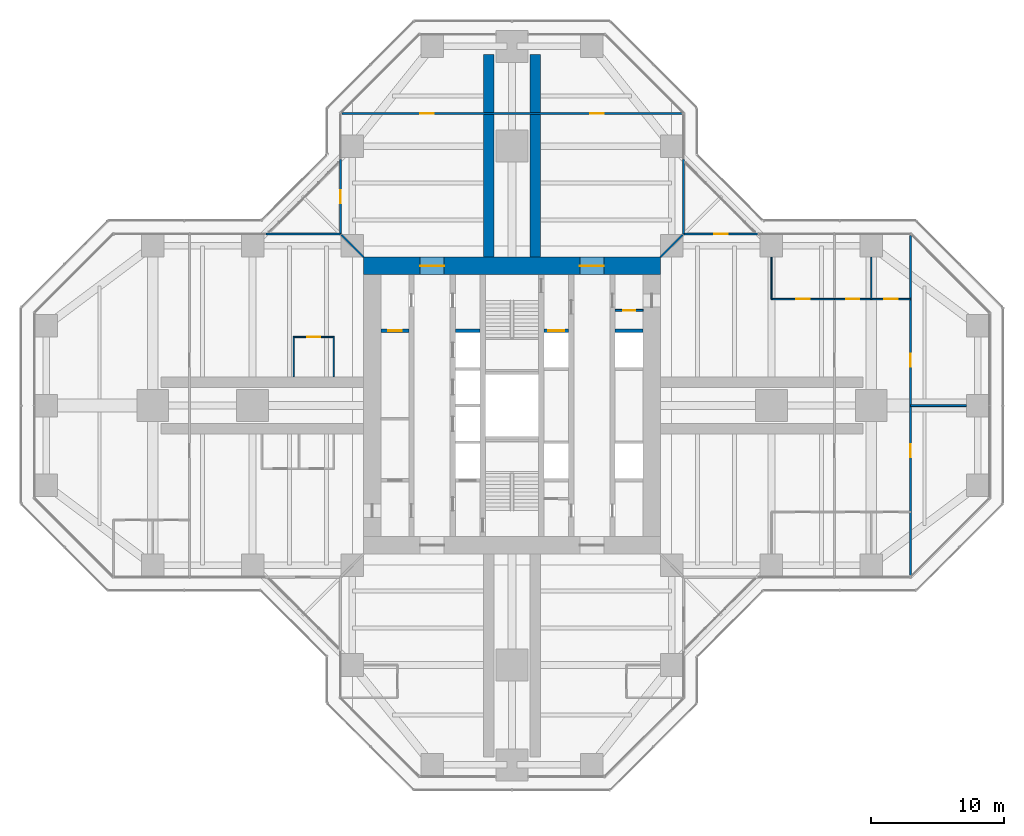
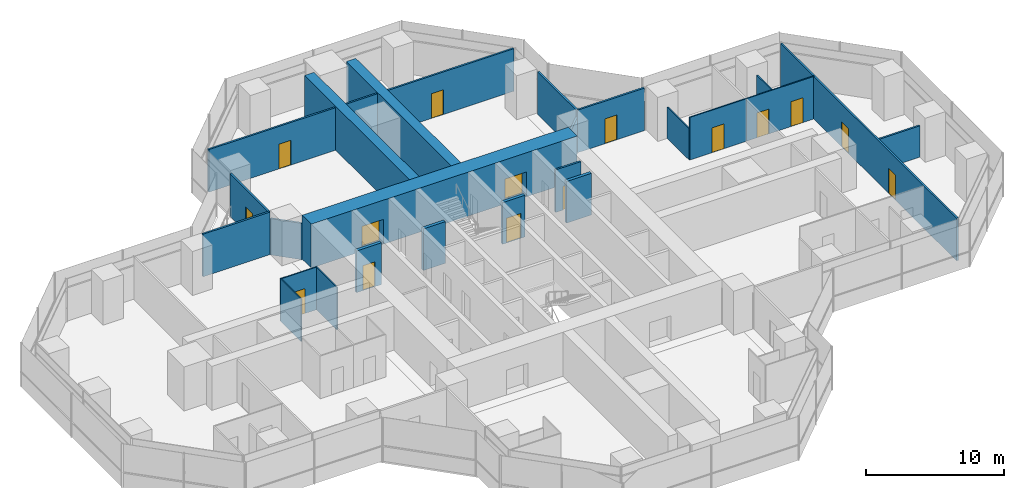
# One storey, part 17 of 20: 24 walls, 15 doors, 15 openings.
"""IFC4 building model written with IfcOpenShell, lengths in metres."""

import ifcopenshell
import ifcopenshell.guid

model = None  # the IFC model being written
_history = None  # IfcOwnerHistory: only IFC2X3 demands one
_inside = {}  # id of a spatial element -> (the spatial element, [elements in it])
_under = {}  # id of a project, library or spatial element -> (it, [spatial elements below it])
_declared = {}  # id of a project -> (the project, [libraries it declares])
_typed = {}  # id of a type object -> (the type object, [elements of that type])
_made_of = {}  # id of a material, layer set ... -> (it, [elements and type objects made of it])


def new_model(schema):
    """Start an empty IFC model of exactly this schema.

    Asked for "IFC4X3", IfcOpenShell would pick the latest addendum, in which some entities
    have other attributes; the version numbers below select the first issue.
    IFC2X3 requires an IfcOwnerHistory on every rooted entity: one is made here for all.
    """
    global model, _history
    if schema == "IFC4X3":
        model = ifcopenshell.file(schema_version=(4, 3, 0, 0))
    else:
        model = ifcopenshell.file(schema=schema)
    _inside.clear()
    _under.clear()
    _declared.clear()
    _typed.clear()
    _made_of.clear()
    _history = None
    if model.schema == "IFC2X3":
        org = make("IfcOrganization", Name="unknown")
        user = make(
            "IfcPersonAndOrganization",
            ThePerson=make("IfcPerson", FamilyName="unknown"),
            TheOrganization=org,
        )
        app = make(
            "IfcApplication",
            ApplicationDeveloper=org,
            Version="unknown",
            ApplicationFullName="unknown",
            ApplicationIdentifier="unknown",
        )
        _history = make(
            "IfcOwnerHistory",
            OwningUser=user,
            OwningApplication=app,
            ChangeAction="ADDED",
            CreationDate=0,
        )
    return model


def make(cls, **values):
    """One entity of the class cls with the attributes given. An attribute that is None is left unset."""
    return model.create_entity(
        cls, **{name: value for name, value in values.items() if value is not None}
    )


def rooted(cls, **values):
    """An entity with a GlobalId (a new one), such as an element, a storey or a relation."""
    return make(cls, GlobalId=ifcopenshell.guid.new(), OwnerHistory=_history, **values)


def si_unit(unit_type, name, prefix=None):
    """IfcSIUnit, for example si_unit("LENGTHUNIT", "METRE", prefix="MILLI")."""
    return make("IfcSIUnit", UnitType=unit_type, Prefix=prefix, Name=name)


def assignment(units):
    """IfcUnitAssignment: the units of a project."""
    return None if units is None else make("IfcUnitAssignment", Units=units)


def point(xyz):
    """IfcCartesianPoint."""
    return None if xyz is None else make("IfcCartesianPoint", Coordinates=xyz)


def direction(xyz):
    """IfcDirection."""
    return None if xyz is None else make("IfcDirection", DirectionRatios=xyz)


def frame(location, z_axis=None, x_axis=None):
    """IfcAxis2Placement3D, a coordinate frame: its origin and axes. An axis left out is left unset."""
    return make(
        "IfcAxis2Placement3D",
        Location=point(location),
        Axis=direction(z_axis),
        RefDirection=direction(x_axis),
    )


def frame_2d(location, x_axis=None):
    """IfcAxis2Placement2D, a coordinate frame in the plane: its origin and x axis."""
    return make(
        "IfcAxis2Placement2D", Location=point(location), RefDirection=direction(x_axis)
    )


def origin():
    """The frame at (0, 0, 0) with its axes left unset."""
    return frame((0.0, 0.0, 0.0))


def place(relative_to, where):
    """IfcLocalPlacement: puts the frame where relative to a parent placement (None: the world)."""
    return make(
        "IfcLocalPlacement", PlacementRelTo=relative_to, RelativePlacement=where
    )


def context(
    kind, dimensions, precision=None, world=None, true_north=None, identifier=None
):
    """IfcGeometricRepresentationContext, for example the 3D "Model" context."""
    return make(
        "IfcGeometricRepresentationContext",
        ContextIdentifier=identifier,
        ContextType=kind,
        CoordinateSpaceDimension=dimensions,
        Precision=precision,
        WorldCoordinateSystem=world,
        TrueNorth=true_north,
    )


def subcontext(parent, identifier, kind, view, scale=None):
    """IfcGeometricRepresentationSubContext, for example "Body" below "Model"."""
    return make(
        "IfcGeometricRepresentationSubContext",
        ContextIdentifier=identifier,
        ContextType=kind,
        ParentContext=parent,
        TargetScale=scale,
        TargetView=view,
    )


def project(units=None, contexts=None):
    """IfcProject with its units and contexts."""
    return rooted(
        "IfcProject",
        Name="project",
        RepresentationContexts=contexts,
        UnitsInContext=assignment(units),
    )


def spatial(cls, under=None, at=None, **own):
    """A site, building, storey or space (cls), placed at a placement, below another one or the project."""
    s = rooted(cls, ObjectPlacement=at, **own)
    if under is not None:
        _under.setdefault(under.id(), (under, []))[1].append(s)
    return s


def profile(cls, at=None, kind="AREA", **sizes):
    """A parametric profile (cls). Its sizes go by their IFC names, for example OverallWidth=200.0."""
    return make(cls, ProfileType=kind, Position=at, **sizes)


def rectangle(**sizes):
    """IfcRectangleProfileDef."""
    return profile("IfcRectangleProfileDef", **sizes)


def extrude(swept, where, along, depth):
    """IfcExtrudedAreaSolid: the profile swept, set in the frame where, extruded along a direction by depth."""
    return make(
        "IfcExtrudedAreaSolid",
        SweptArea=swept,
        Position=where,
        ExtrudedDirection=direction(along),
        Depth=depth,
    )


def shape(context_of_items, identifier, shape_type, items):
    """IfcShapeRepresentation: the items that make up one representation, for example the "Body"."""
    return make(
        "IfcShapeRepresentation",
        ContextOfItems=context_of_items,
        RepresentationIdentifier=identifier,
        RepresentationType=shape_type,
        Items=items,
    )


def material(Name=None, Category=None):
    """IfcMaterial."""
    return make("IfcMaterial", Name=Name, Category=Category)


def layer(
    of_material, thickness, ventilated=None, Name=None, Category=None, Priority=None
):
    """IfcMaterialLayer: one layer of a wall or slab, of a material (None: an air gap)."""
    return make(
        "IfcMaterialLayer",
        Material=of_material,
        LayerThickness=thickness,
        IsVentilated=ventilated,
        Name=Name,
        Category=Category,
        Priority=Priority,
    )


def layer_set(layers, Name=None):
    """IfcMaterialLayerSet."""
    return make("IfcMaterialLayerSet", MaterialLayers=layers, LayerSetName=Name)


def made_of(thing, what):
    """Note that an element or type object is made of a material, layer set ...; save() writes the relation."""
    if what is not None:
        _made_of.setdefault(what.id(), (what, []))[1].append(thing)
    return thing


def type_object(cls, material=None, **own):
    """A type object (cls), such as IfcWallType, which elements share."""
    return made_of(rooted(cls, **own), material)


def element(
    cls,
    number,
    at=None,
    inside=None,
    cuts=None,
    type_object=None,
    material=None,
    context=None,
    identifier="Body",
    shape_type=None,
    held_by="IfcProductDefinitionShape",
    body=None,
    shapes=None,
    **own,
):
    """One element of the class cls, such as IfcWall. Its Tag is "e" and its number.

    at: its placement. inside: the storey or other place that contains it. cuts: it is an
    opening in that element (IfcRelVoidsElement). A single representation is given by context,
    identifier, shape_type and body (its items); several are given by shapes. held_by: the class
    of the entity that holds the representations. save() writes the other relations.
    """
    e = rooted(cls, Tag="e%d" % number, ObjectPlacement=at, **own)
    if body is not None:
        shapes = [shape(context, identifier, shape_type, body)]
    if shapes is not None:
        e.Representation = make(held_by, Representations=shapes)
    if inside is not None:
        _inside.setdefault(inside.id(), (inside, []))[1].append(e)
    if cuts is not None:
        rooted(
            "IfcRelVoidsElement", RelatingBuildingElement=cuts, RelatedOpeningElement=e
        )
    if type_object is not None:
        _typed.setdefault(type_object.id(), (type_object, []))[1].append(e)
    return made_of(e, material)


def fill(opening, filler):
    """IfcRelFillsElement: the door or window that sits in an opening."""
    return rooted(
        "IfcRelFillsElement",
        RelatingOpeningElement=opening,
        RelatedBuildingElement=filler,
    )


def aggregate(whole, parts):
    """IfcRelAggregates: a whole, such as a stair, and the parts it consists of."""
    return rooted("IfcRelAggregates", RelatingObject=whole, RelatedObjects=parts)


def save(model, path):
    """Write the relations noted so far, then the file.

    IfcRelAggregates (storeys below a building ...), IfcRelContainedInSpatialStructure (elements
    in a storey), IfcRelDefinesByType, IfcRelAssociatesMaterial and IfcRelDeclares: one each for
    every whole, place, type object, material and project.
    """
    for whole, parts in _under.values():
        aggregate(whole, parts)
    for where, things in _inside.values():
        rooted(
            "IfcRelContainedInSpatialStructure",
            RelatedElements=things,
            RelatingStructure=where,
        )
    for kind, things in _typed.values():
        rooted("IfcRelDefinesByType", RelatedObjects=things, RelatingType=kind)
    for what, things in _made_of.values():
        rooted("IfcRelAssociatesMaterial", RelatedObjects=things, RelatingMaterial=what)
    for by, libraries in _declared.values():
        rooted("IfcRelDeclares", RelatingContext=by, RelatedDefinitions=libraries)
    model.write(path)


model = new_model("IFC4")

# Units and contexts
model_context = context("Model", 3, precision=1e-05, world=origin(), true_north=direction((0.0, 1.0)))
body_context = subcontext(model_context, "Body", "Model", "MODEL_VIEW")
ifc_project = project(units=[si_unit("LENGTHUNIT", "METRE"), si_unit("AREAUNIT", "SQUARE_METRE"), si_unit("VOLUMEUNIT", "CUBIC_METRE"), si_unit("PLANEANGLEUNIT", "RADIAN"), si_unit("MASSUNIT", "GRAM", prefix="KILO")], contexts=[model_context])

# Site, building, storey
site_placement = place(None, origin())
site = spatial("IfcSite", under=ifc_project, at=site_placement, CompositionType="ELEMENT")
building_placement = place(site_placement, origin())
building = spatial("IfcBuilding", under=site, at=building_placement, Name="Mizan Broadcast Tower", CompositionType="ELEMENT")
storey_placement = place(building_placement, frame((0.0, 0.0, 139.800048828125)))
storey = spatial("IfcBuildingStorey", under=building, at=storey_placement, Name="L31", CompositionType="ELEMENT", Elevation=139.800048828125)

# Wall, opening, door
ifc_material_1 = material(Name="Concrete blockwork", Category="masonry")
ifc_layer_1 = layer(ifc_material_1, 0.14990234375)
ifc_layer_set_1 = layer_set([ifc_layer_1], Name="Concrete blockwork")
wall_type_1 = type_object("IfcWallType", Name="CORE PARTITION 150", PredefinedType="SOLIDWALL", material=ifc_layer_set_1)
wall_1_placement = place(storey_placement, frame((9.85009765625, 7.14990234375, 0.0), z_axis=(0.0, 0.0, 1.0), x_axis=(-1.0, 0.0, 0.0)))
wall_1 = element("IfcWall", 1, at=wall_1_placement, inside=storey, type_object=wall_type_1, Name="Core partition CORE/XPE", PredefinedType="SOLIDWALL", context=body_context, shape_type="SweptSolid", body=[
    extrude(rectangle(XDim=2.10009765625, YDim=0.14990234375, at=frame_2d((1.050048828125, 0.0))), origin(), (0.0, 0.0, 1.0), 3.77001953125),
])
opening_1_placement = place(wall_1_placement, frame((0.60009765625, 0.0, 0.0)))
opening_1 = element("IfcOpeningElement", 2, at=opening_1_placement, cuts=wall_1, Name="Opening D09F", PredefinedType="OPENING", context=body_context, shape_type="SweptSolid", body=[
    extrude(rectangle(XDim=0.89990234375, YDim=2.10009765625, at=frame_2d((0.449951171875, 1.050048828125))), frame((0.0, 0.0849609375, 0.0), z_axis=(0.0, -1.0, 0.0), x_axis=(1.0, 0.0, 0.0)), (0.0, 0.0, 1.0), 0.169921875),
])
ifc_material_2 = material(Name="Steel door leaf in steel frame", Category="steel")
door_type_1 = type_object("IfcDoorType", Name="CORE ROOM DOOR 900 FD90", OperationType="SINGLE_SWING_LEFT", PredefinedType="DOOR", material=ifc_material_2)
door_1_placement = place(opening_1_placement, origin())
door_1 = element("IfcDoor", 3, at=door_1_placement, inside=storey, type_object=door_type_1, Name="Electrical cupboard door", OperationType="SINGLE_SWING_RIGHT", OverallHeight=2.10009765625, OverallWidth=0.89990234375, PredefinedType="DOOR", context=body_context, shape_type="SweptSolid", body=[
    extrude(rectangle(XDim=0.89990234375, YDim=2.10009765625, at=frame_2d((0.449951171875, 1.050048828125))), frame((0.0, 0.02490234375, 0.0), z_axis=(0.0, -1.0, 0.0), x_axis=(1.0, 0.0, 0.0)), (0.0, 0.0, 1.0), 0.050048828125),
])
fill(opening_1, door_1)

# Wall, openings, doors
ifc_material_3 = material(Name="Concrete C70/85", Category="concrete")
ifc_layer_2 = layer(ifc_material_3, 1.300048828125)
ifc_layer_set_2 = layer_set([ifc_layer_2], Name="Concrete C70/85")
wall_type_2 = type_object("IfcWallType", Name="CORE WALL 1300", PredefinedType="SHEAR", material=ifc_layer_set_2)
wall_2_placement = place(storey_placement, frame((-11.14990234375, 10.5, 0.0), z_axis=(0.0, 0.0, 1.0), x_axis=(1.0, 0.0, 0.0)))
wall_2 = element("IfcWall", 4, at=wall_2_placement, inside=storey, type_object=wall_type_2, Name="Core wall N L31", PredefinedType="SHEAR", context=body_context, shape_type="SweptSolid", body=[
    extrude(rectangle(XDim=22.2998046875, YDim=1.300048828125, at=frame_2d((11.14990234375, 0.0))), origin(), (0.0, 0.0, 1.0), 3.89990234375),
])
opening_2_placement = place(wall_2_placement, frame((4.25, 0.0, 0.0)))
opening_2 = element("IfcOpeningElement", 5, at=opening_2_placement, cuts=wall_2, Name="Opening D18F", PredefinedType="OPENING", context=body_context, shape_type="SweptSolid", body=[
    extrude(rectangle(XDim=1.800048828125, YDim=2.199951171875, at=frame_2d((0.89990234375, 1.10009765625))), frame((0.0, 0.659912109375, 0.0), z_axis=(0.0, -1.0, 0.0), x_axis=(1.0, 0.0, 0.0)), (0.0, 0.0, 1.0), 1.320068359375),
])
opening_3_placement = place(wall_2_placement, frame((16.25, 0.0, 0.0)))
opening_3 = element("IfcOpeningElement", 6, at=opening_3_placement, cuts=wall_2, Name="Opening D18F", PredefinedType="OPENING", context=body_context, shape_type="SweptSolid", body=[
    extrude(rectangle(XDim=1.800048828125, YDim=2.199951171875, at=frame_2d((0.89990234375, 1.10009765625))), frame((0.0, 0.659912109375, 0.0), z_axis=(0.0, -1.0, 0.0), x_axis=(1.0, 0.0, 0.0)), (0.0, 0.0, 1.0), 1.320068359375),
])
ifc_material_4 = material(Name="Steel door leaf in steel frame", Category="steel")
door_type_2 = type_object("IfcDoorType", Name="LOBBY DOUBLE DOOR 1800 FD90", OperationType="DOUBLE_DOOR_DOUBLE_SWING", PredefinedType="DOOR", material=ifc_material_4)
door_2_placement = place(opening_2_placement, origin())
door_2 = element("IfcDoor", 7, at=door_2_placement, inside=storey, type_object=door_type_2, Name="West lift lobby north door", OperationType="DOUBLE_DOOR_DOUBLE_SWING", OverallHeight=2.199951171875, OverallWidth=1.800048828125, PredefinedType="DOOR", context=body_context, shape_type="SweptSolid", body=[
    extrude(rectangle(XDim=1.800048828125, YDim=2.199951171875, at=frame_2d((0.89990234375, 1.10009765625))), frame((0.0, 0.02490234375, 0.0), z_axis=(0.0, -1.0, 0.0), x_axis=(1.0, 0.0, 0.0)), (0.0, 0.0, 1.0), 0.050048828125),
])
fill(opening_2, door_2)
door_3_placement = place(opening_3_placement, origin())
door_3 = element("IfcDoor", 8, at=door_3_placement, inside=storey, type_object=door_type_2, Name="East lift lobby north door", OperationType="DOUBLE_DOOR_DOUBLE_SWING", OverallHeight=2.199951171875, OverallWidth=1.800048828125, PredefinedType="DOOR", context=body_context, shape_type="SweptSolid", body=[
    extrude(rectangle(XDim=1.800048828125, YDim=2.199951171875, at=frame_2d((0.89990234375, 1.10009765625))), frame((0.0, 0.02490234375, 0.0), z_axis=(0.0, -1.0, 0.0), x_axis=(1.0, 0.0, 0.0)), (0.0, 0.0, 1.0), 0.050048828125),
])
fill(opening_3, door_3)

# Wall, opening, door
ifc_material_5 = material(Name="Aluminium framed glazed screen", Category="aluminium")
ifc_layer_3 = layer(ifc_material_5, 0.159912109375)
ifc_layer_set_3 = layer_set([ifc_layer_3], Name="Aluminium framed glazed screen")
wall_type_3 = type_object("IfcWallType", Name="GLAZED SCREEN WALL 160", PredefinedType="SOLIDWALL", material=ifc_layer_set_3)
wall_3_placement = place(storey_placement, frame((18.5, 12.89990234375, 0.0), z_axis=(0.0, 0.0, 1.0), x_axis=(-1.0, 0.0, 0.0)))
wall_3 = element("IfcWall", 9, at=wall_3_placement, inside=storey, type_object=wall_type_3, Name="Winter garden screen L31 E", PredefinedType="SOLIDWALL", context=body_context, shape_type="SweptSolid", body=[
    extrude(rectangle(XDim=5.60009765625, YDim=0.159912109375, at=frame_2d((2.800048828125, 0.0))), origin(), (0.0, 0.0, 1.0), 3.77001953125),
])
opening_4_placement = place(wall_3_placement, frame((2.300048828125, 0.0, 0.0)))
opening_4 = element("IfcOpeningElement", 10, at=opening_4_placement, cuts=wall_3, Name="Opening WGD", PredefinedType="OPENING", context=body_context, shape_type="SweptSolid", body=[
    extrude(rectangle(XDim=1.0, YDim=2.199951171875, at=frame_2d((0.5, 1.10009765625))), frame((0.0, 0.08984375, 0.0), z_axis=(0.0, -1.0, 0.0), x_axis=(1.0, 0.0, 0.0)), (0.0, 0.0, 1.0), 0.179931640625),
])
ifc_material_6 = material(Name="Aluminium framed glazed door", Category="aluminium")
door_type_3 = type_object("IfcDoorType", Name="WINTER GARDEN DOOR 1000 GLAZED", OperationType="SINGLE_SWING_LEFT", PredefinedType="DOOR", material=ifc_material_6)
door_4_placement = place(opening_4_placement, origin())
door_4 = element("IfcDoor", 11, at=door_4_placement, inside=storey, type_object=door_type_3, Name="Winter garden door L31 E", OperationType="SINGLE_SWING_RIGHT", OverallHeight=2.199951171875, OverallWidth=1.0, PredefinedType="DOOR", context=body_context, shape_type="SweptSolid", body=[
    extrude(rectangle(XDim=1.0, YDim=2.199951171875, at=frame_2d((0.5, 1.10009765625))), frame((0.0, 0.02490234375, 0.0), z_axis=(0.0, -1.0, 0.0), x_axis=(1.0, 0.0, 0.0)), (0.0, 0.0, 1.0), 0.050048828125),
])
fill(opening_4, door_4)

# Wall
wall_4_placement = place(storey_placement, frame((12.89990234375, 12.89990234375, 0.0), z_axis=(0.0, 0.0, 1.0), x_axis=(0.0, 1.0, 0.0)))
element("IfcWall", 12, at=wall_4_placement, inside=storey, type_object=wall_type_3, Name="Winter garden screen L31 N", PredefinedType="SOLIDWALL", context=body_context, shape_type="SweptSolid", body=[
    extrude(rectangle(XDim=5.60009765625, YDim=0.159912109375, at=frame_2d((2.800048828125, 0.0))), origin(), (0.0, 0.0, 1.0), 3.77001953125),
])

# Wall, opening, door
wall_5_placement = place(storey_placement, frame((-12.89990234375, 18.5, 0.0), z_axis=(0.0, 0.0, 1.0), x_axis=(0.0, -1.0, 0.0)))
wall_5 = element("IfcWall", 13, at=wall_5_placement, inside=storey, type_object=wall_type_3, Name="Winter garden screen L31 N", PredefinedType="SOLIDWALL", context=body_context, shape_type="SweptSolid", body=[
    extrude(rectangle(XDim=5.60009765625, YDim=0.159912109375, at=frame_2d((2.800048828125, 0.0))), origin(), (0.0, 0.0, 1.0), 3.77001953125),
])
opening_5_placement = place(wall_5_placement, frame((2.300048828125, 0.0, 0.0)))
opening_5 = element("IfcOpeningElement", 14, at=opening_5_placement, cuts=wall_5, Name="Opening WGD", PredefinedType="OPENING", context=body_context, shape_type="SweptSolid", body=[
    extrude(rectangle(XDim=1.0, YDim=2.199951171875, at=frame_2d((0.5, 1.10009765625))), frame((0.0, 0.08984375, 0.0), z_axis=(0.0, -1.0, 0.0), x_axis=(1.0, 0.0, 0.0)), (0.0, 0.0, 1.0), 0.179931640625),
])
door_5_placement = place(opening_5_placement, origin())
door_5 = element("IfcDoor", 15, at=door_5_placement, inside=storey, type_object=door_type_3, Name="Winter garden door L31 N", OperationType="SINGLE_SWING_RIGHT", OverallHeight=2.199951171875, OverallWidth=1.0, PredefinedType="DOOR", context=body_context, shape_type="SweptSolid", body=[
    extrude(rectangle(XDim=1.0, YDim=2.199951171875, at=frame_2d((0.5, 1.10009765625))), frame((0.0, 0.02490234375, 0.0), z_axis=(0.0, -1.0, 0.0), x_axis=(1.0, 0.0, 0.0)), (0.0, 0.0, 1.0), 0.050048828125),
])
fill(opening_5, door_5)

# Wall
wall_6_placement = place(storey_placement, frame((-12.89990234375, 12.89990234375, 0.0), z_axis=(0.0, 0.0, 1.0), x_axis=(-1.0, 0.0, 0.0)))
element("IfcWall", 16, at=wall_6_placement, inside=storey, type_object=wall_type_3, Name="Winter garden screen L31 W", PredefinedType="SOLIDWALL", context=body_context, shape_type="SweptSolid", body=[
    extrude(rectangle(XDim=5.60009765625, YDim=0.159912109375, at=frame_2d((2.800048828125, 0.0))), origin(), (0.0, 0.0, 1.0), 3.77001953125),
])

# Wall, opening, door
ifc_material_7 = material(Name="Concrete blockwork", Category="masonry")
ifc_layer_4 = layer(ifc_material_7, 0.25)
ifc_layer_set_4 = layer_set([ifc_layer_4], Name="Concrete blockwork")
wall_type_4 = type_object("IfcWallType", Name="LOBBY ENCLOSURE WALL 250", PredefinedType="SOLIDWALL", material=ifc_layer_set_4)
wall_7_placement = place(storey_placement, frame((-9.85009765625, 5.625, 0.0), z_axis=(0.0, 0.0, 1.0), x_axis=(1.0, 0.0, 0.0)))
wall_7 = element("IfcWall", 17, at=wall_7_placement, inside=storey, type_object=wall_type_4, Name="Lobby enclosure wall CORE/BW1N", PredefinedType="SOLIDWALL", context=body_context, shape_type="SweptSolid", body=[
    extrude(rectangle(XDim=2.10009765625, YDim=0.25, at=frame_2d((1.050048828125, 0.0))), origin(), (0.0, 0.0, 1.0), 3.699951171875),
])
opening_6_placement = place(wall_7_placement, frame((0.550048828125, 0.0, 0.0)))
opening_6 = element("IfcOpeningElement", 18, at=opening_6_placement, cuts=wall_7, Name="Opening D10F", PredefinedType="OPENING", context=body_context, shape_type="SweptSolid", body=[
    extrude(rectangle(XDim=1.0, YDim=2.199951171875, at=frame_2d((0.5, 1.10009765625))), frame((0.0, 0.135009765625, 0.0), z_axis=(0.0, -1.0, 0.0), x_axis=(1.0, 0.0, 0.0)), (0.0, 0.0, 1.0), 0.27001953125),
])
ifc_material_8 = material(Name="Steel door leaf in steel frame", Category="steel")
door_type_4 = type_object("IfcDoorType", Name="FIRE DOOR 1000 FD90", OperationType="SINGLE_SWING_LEFT", PredefinedType="DOOR", material=ifc_material_8)
door_6_placement = place(opening_6_placement, origin())
door_6 = element("IfcDoor", 19, at=door_6_placement, inside=storey, type_object=door_type_4, Name="Staff changing room door", OperationType="SINGLE_SWING_RIGHT", OverallHeight=2.199951171875, OverallWidth=1.0, PredefinedType="DOOR", context=body_context, shape_type="SweptSolid", body=[
    extrude(rectangle(XDim=1.0, YDim=2.199951171875, at=frame_2d((0.5, 1.10009765625))), frame((0.0, 0.02490234375, 0.0), z_axis=(0.0, -1.0, 0.0), x_axis=(1.0, 0.0, 0.0)), (0.0, 0.0, 1.0), 0.050048828125),
])
fill(opening_6, door_6)

# Wall
wall_8_placement = place(storey_placement, frame((-4.25, 5.625, 0.0), z_axis=(0.0, 0.0, 1.0), x_axis=(1.0, 0.0, 0.0)))
element("IfcWall", 20, at=wall_8_placement, inside=storey, type_object=wall_type_4, Name="Lobby enclosure wall CORE/BW2N", PredefinedType="SOLIDWALL", context=body_context, shape_type="SweptSolid", body=[
    extrude(rectangle(XDim=1.85009765625, YDim=0.25, at=frame_2d((0.925048828125, 0.0))), origin(), (0.0, 0.0, 1.0), 3.699951171875),
])

# Wall, opening, door
wall_9_placement = place(storey_placement, frame((2.39990234375, 5.625, 0.0), z_axis=(0.0, 0.0, 1.0), x_axis=(1.0, 0.0, 0.0)))
wall_9 = element("IfcWall", 21, at=wall_9_placement, inside=storey, type_object=wall_type_4, Name="Lobby enclosure wall CORE/BE2N", PredefinedType="SOLIDWALL", context=body_context, shape_type="SweptSolid", body=[
    extrude(rectangle(XDim=1.85009765625, YDim=0.25, at=frame_2d((0.925048828125, 0.0))), origin(), (0.0, 0.0, 1.0), 3.699951171875),
])
opening_7_placement = place(wall_9_placement, frame((0.324951171875, 0.0, 0.0)))
opening_7 = element("IfcOpeningElement", 22, at=opening_7_placement, cuts=wall_9, Name="Opening LDF", PredefinedType="OPENING", context=body_context, shape_type="SweptSolid", body=[
    extrude(rectangle(XDim=1.199951171875, YDim=2.199951171875, at=frame_2d((0.60009765625, 1.10009765625))), frame((0.0, 0.135009765625, 0.0), z_axis=(0.0, -1.0, 0.0), x_axis=(1.0, 0.0, 0.0)), (0.0, 0.0, 1.0), 0.27001953125),
])
ifc_material_9 = material(Name="Steel door leaf in steel frame", Category="steel")
door_type_5 = type_object("IfcDoorType", Name="FIREFIGHTING LIFT LANDING DOOR 1200", OperationType="SLIDING_TO_LEFT", PredefinedType="DOOR", material=ifc_material_9)
door_7_placement = place(opening_7_placement, origin())
door_7 = element("IfcDoor", 23, at=door_7_placement, inside=storey, type_object=door_type_5, Name="Landing door FF2", OperationType="SLIDING_TO_LEFT", OverallHeight=2.199951171875, OverallWidth=1.199951171875, PredefinedType="DOOR", context=body_context, shape_type="SweptSolid", body=[
    extrude(rectangle(XDim=1.199951171875, YDim=2.199951171875, at=frame_2d((0.60009765625, 1.10009765625))), frame((0.0, 0.02490234375, 0.0), z_axis=(0.0, -1.0, 0.0), x_axis=(1.0, 0.0, 0.0)), (0.0, 0.0, 1.0), 0.050048828125),
])
fill(opening_7, door_7)

# Wall
wall_10_placement = place(storey_placement, frame((7.75, 5.625, 0.0), z_axis=(0.0, 0.0, 1.0), x_axis=(1.0, 0.0, 0.0)))
element("IfcWall", 24, at=wall_10_placement, inside=storey, type_object=wall_type_4, Name="Lobby enclosure wall CORE/BE1N", PredefinedType="SOLIDWALL", context=body_context, shape_type="SweptSolid", body=[
    extrude(rectangle(XDim=2.10009765625, YDim=0.25, at=frame_2d((1.050048828125, 0.0))), origin(), (0.0, 0.0, 1.0), 3.699951171875),
])

# Wall, openings, doors
ifc_material_10 = material(Name="Gypsum board on steel studs", Category="steel")
ifc_layer_5 = layer(ifc_material_10, 0.14990234375)
ifc_layer_set_5 = layer_set([ifc_layer_5], Name="Gypsum board on steel studs")
wall_type_5 = type_object("IfcWallType", Name="PARTITION 150", PredefinedType="PARTITIONING", material=ifc_layer_set_5)
wall_11_placement = place(storey_placement, frame((29.958984375, -12.786376953125, 0.0), z_axis=(0.0, 0.0, 1.0), x_axis=(0.0, 1.0, 0.0)))
wall_11 = element("IfcWall", 25, at=wall_11_placement, inside=storey, type_object=wall_type_5, Name="Partition PT/EX2", PredefinedType="PARTITIONING", context=body_context, shape_type="SweptSolid", body=[
    extrude(rectangle(XDim=25.57275390625, YDim=0.14990234375, at=frame_2d((12.786376953125, 0.0))), origin(), (0.0, 0.0, 1.0), 3.77001953125),
])
opening_8_placement = place(wall_11_placement, frame((15.6865234375, 0.0, 0.0)))
opening_8 = element("IfcOpeningElement", 26, at=opening_8_placement, cuts=wall_11, Name="Opening D10", PredefinedType="OPENING", context=body_context, shape_type="SweptSolid", body=[
    extrude(rectangle(XDim=1.0, YDim=2.199951171875, at=frame_2d((0.5, 1.10009765625))), frame((0.0, 0.0849609375, 0.0), z_axis=(0.0, -1.0, 0.0), x_axis=(1.0, 0.0, 0.0)), (0.0, 0.0, 1.0), 0.169921875),
])
opening_9_placement = place(wall_11_placement, frame((8.886474609375, 0.0, 0.0)))
opening_9 = element("IfcOpeningElement", 27, at=opening_9_placement, cuts=wall_11, Name="Opening D10", PredefinedType="OPENING", context=body_context, shape_type="SweptSolid", body=[
    extrude(rectangle(XDim=1.0, YDim=2.199951171875, at=frame_2d((0.5, 1.10009765625))), frame((0.0, 0.0849609375, 0.0), z_axis=(0.0, -1.0, 0.0), x_axis=(1.0, 0.0, 0.0)), (0.0, 0.0, 1.0), 0.169921875),
])
ifc_material_11 = material(Name="Timber door leaf in aluminium frame", Category="wood")
door_type_6 = type_object("IfcDoorType", Name="ROOM DOOR 1000", OperationType="SINGLE_SWING_LEFT", PredefinedType="DOOR", material=ifc_material_11)
door_8_placement = place(opening_8_placement, origin())
door_8 = element("IfcDoor", 28, at=door_8_placement, inside=storey, type_object=door_type_6, Name="Open office door", OperationType="SINGLE_SWING_RIGHT", OverallHeight=2.199951171875, OverallWidth=1.0, PredefinedType="DOOR", context=body_context, shape_type="SweptSolid", body=[
    extrude(rectangle(XDim=1.0, YDim=2.199951171875, at=frame_2d((0.5, 1.10009765625))), frame((0.0, 0.02490234375, 0.0), z_axis=(0.0, -1.0, 0.0), x_axis=(1.0, 0.0, 0.0)), (0.0, 0.0, 1.0), 0.050048828125),
])
fill(opening_8, door_8)
door_9_placement = place(opening_9_placement, origin())
door_9 = element("IfcDoor", 29, at=door_9_placement, inside=storey, type_object=door_type_6, Name="Open office door", OperationType="SINGLE_SWING_LEFT", OverallHeight=2.199951171875, OverallWidth=1.0, PredefinedType="DOOR", context=body_context, shape_type="SweptSolid", body=[
    extrude(rectangle(XDim=1.0, YDim=2.199951171875, at=frame_2d((0.5, 1.10009765625))), frame((0.0, 0.02490234375, 0.0), z_axis=(0.0, -1.0, 0.0), x_axis=(1.0, 0.0, 0.0)), (0.0, 0.0, 1.0), 0.050048828125),
])
fill(opening_9, door_9)

# Wall
wall_12_placement = place(storey_placement, frame((29.958984375, 0.0, 0.0), z_axis=(0.0, 0.0, 1.0), x_axis=(1.0, 0.0, 0.0)))
element("IfcWall", 30, at=wall_12_placement, inside=storey, type_object=wall_type_5, Name="Partition PT/EES", PredefinedType="PARTITIONING", context=body_context, shape_type="SweptSolid", body=[
    extrude(rectangle(XDim=4.19091796875, YDim=0.14990234375, at=frame_2d((2.095458984375, 0.0))), origin(), (0.0, 0.0, 1.0), 2.77001953125),
])

# Wall, openings, doors
wall_13_placement = place(storey_placement, frame((12.786376953125, 21.958984375, 0.0), z_axis=(0.0, 0.0, 1.0), x_axis=(-1.0, 0.0, 0.0)))
wall_13 = element("IfcWall", 31, at=wall_13_placement, inside=storey, type_object=wall_type_5, Name="Partition PT/NX1", PredefinedType="PARTITIONING", context=body_context, shape_type="SweptSolid", body=[
    extrude(rectangle(XDim=25.57275390625, YDim=0.14990234375, at=frame_2d((12.786376953125, 0.0))), origin(), (0.0, 0.0, 1.0), 3.77001953125),
])
opening_10_placement = place(wall_13_placement, frame((18.6865234375, 0.0, 0.0)))
opening_10 = element("IfcOpeningElement", 32, at=opening_10_placement, cuts=wall_13, Name="Opening D10", PredefinedType="OPENING", context=body_context, shape_type="SweptSolid", body=[
    extrude(rectangle(XDim=1.0, YDim=2.199951171875, at=frame_2d((0.5, 1.10009765625))), frame((0.0, 0.0849609375, 0.0), z_axis=(0.0, -1.0, 0.0), x_axis=(1.0, 0.0, 0.0)), (0.0, 0.0, 1.0), 0.169921875),
])
opening_11_placement = place(wall_13_placement, frame((5.886474609375, 0.0, 0.0)))
opening_11 = element("IfcOpeningElement", 33, at=opening_11_placement, cuts=wall_13, Name="Opening D10", PredefinedType="OPENING", context=body_context, shape_type="SweptSolid", body=[
    extrude(rectangle(XDim=1.0, YDim=2.199951171875, at=frame_2d((0.5, 1.10009765625))), frame((0.0, 0.0849609375, 0.0), z_axis=(0.0, -1.0, 0.0), x_axis=(1.0, 0.0, 0.0)), (0.0, 0.0, 1.0), 0.169921875),
])
door_10_placement = place(opening_10_placement, origin())
door_10 = element("IfcDoor", 34, at=door_10_placement, inside=storey, type_object=door_type_6, Name="Meeting room door", OperationType="SINGLE_SWING_RIGHT", OverallHeight=2.199951171875, OverallWidth=1.0, PredefinedType="DOOR", context=body_context, shape_type="SweptSolid", body=[
    extrude(rectangle(XDim=1.0, YDim=2.199951171875, at=frame_2d((0.5, 1.10009765625))), frame((0.0, 0.02490234375, 0.0), z_axis=(0.0, -1.0, 0.0), x_axis=(1.0, 0.0, 0.0)), (0.0, 0.0, 1.0), 0.050048828125),
])
fill(opening_10, door_10)
door_11_placement = place(opening_11_placement, origin())
door_11 = element("IfcDoor", 35, at=door_11_placement, inside=storey, type_object=door_type_6, Name="Meeting room door", OperationType="SINGLE_SWING_LEFT", OverallHeight=2.199951171875, OverallWidth=1.0, PredefinedType="DOOR", context=body_context, shape_type="SweptSolid", body=[
    extrude(rectangle(XDim=1.0, YDim=2.199951171875, at=frame_2d((0.5, 1.10009765625))), frame((0.0, 0.02490234375, 0.0), z_axis=(0.0, -1.0, 0.0), x_axis=(1.0, 0.0, 0.0)), (0.0, 0.0, 1.0), 0.050048828125),
])
fill(opening_11, door_11)

# Walls
for number, where, z_axis, x_axis, name in (
    (36, (11.14990234375, 11.14990234375, 0.0), (0.0, 0.0, 1.0), (0.707106781187, 0.707106781187, 0.0), "Partition PT/DGEN"),
    (37, (-11.14990234375, 11.14990234375, 0.0), (0.0, 0.0, 1.0), (-0.707106781187, 0.707106781187, 0.0), "Partition PT/DGWN"),
):
    element("IfcWall", number, at=place(storey_placement, frame(where, z_axis=z_axis, x_axis=x_axis)), inside=storey, type_object=wall_type_5, Name=name, PredefinedType="PARTITIONING", context=body_context, shape_type="SweptSolid", body=[
        extrude(rectangle(XDim=2.362060546875, YDim=0.14990234375, at=frame_2d((1.18115234375, 0.0))), origin(), (0.0, 0.0, 1.0), 3.219970703125),
    ])

# Wall, opening, door
ifc_material_12 = material(Name="Glazed aluminium partition on aluminium track", Category="aluminium")
ifc_layer_6 = layer(ifc_material_12, 0.10009765625)
ifc_layer_set_6 = layer_set([ifc_layer_6], Name="Glazed aluminium partition on aluminium track")
wall_type_6 = type_object("IfcWallType", Name="PARTITION GLAZED OFFICE FRONT 100", PredefinedType="PARTITIONING", material=ifc_layer_set_6)
wall_14_placement = place(storey_placement, frame((19.5, 8.0, 0.0), z_axis=(0.0, 0.0, 1.0), x_axis=(1.0, 0.0, 0.0)))
wall_14 = element("IfcWall", 38, at=wall_14_placement, inside=storey, type_object=wall_type_6, Name="Glazed office front PT/ECP0", PredefinedType="PARTITIONING", context=body_context, shape_type="SweptSolid", body=[
    extrude(rectangle(XDim=4.72900390625, YDim=0.10009765625, at=frame_2d((2.364501953125, 0.0))), origin(), (0.0, 0.0, 1.0), 3.77001953125),
])
opening_12_placement = place(wall_14_placement, frame((1.864501953125, 0.0, 0.0)))
opening_12 = element("IfcOpeningElement", 39, at=opening_12_placement, cuts=wall_14, Name="Opening D10O", PredefinedType="OPENING", context=body_context, shape_type="SweptSolid", body=[
    extrude(rectangle(XDim=1.0, YDim=2.199951171875, at=frame_2d((0.5, 1.10009765625))), frame((0.0, 0.06005859375, 0.0), z_axis=(0.0, -1.0, 0.0), x_axis=(1.0, 0.0, 0.0)), (0.0, 0.0, 1.0), 0.1201171875),
])
ifc_material_13 = material(Name="Timber door leaf in aluminium frame", Category="wood")
door_type_7 = type_object("IfcDoorType", Name="OFFICE DOOR 1000 GLAZED", OperationType="SINGLE_SWING_LEFT", PredefinedType="DOOR", material=ifc_material_13)
door_12_placement = place(opening_12_placement, origin())
door_12 = element("IfcDoor", 40, at=door_12_placement, inside=storey, type_object=door_type_7, Name="Lawyer's office door", OperationType="SINGLE_SWING_LEFT", OverallHeight=2.199951171875, OverallWidth=1.0, PredefinedType="DOOR", context=body_context, shape_type="SweptSolid", body=[
    extrude(rectangle(XDim=1.0, YDim=2.199951171875, at=frame_2d((0.5, 1.10009765625))), frame((0.0, 0.02490234375, 0.0), z_axis=(0.0, -1.0, 0.0), x_axis=(1.0, 0.0, 0.0)), (0.0, 0.0, 1.0), 0.050048828125),
])
fill(opening_12, door_12)

# Wall, openings, doors
wall_15_placement = place(storey_placement, frame((24.22900390625, 8.0, 0.0), z_axis=(0.0, 0.0, 1.0), x_axis=(1.0, 0.0, 0.0)))
wall_15 = element("IfcWall", 41, at=wall_15_placement, inside=storey, type_object=wall_type_6, Name="Glazed office front PT/ECP1", PredefinedType="PARTITIONING", context=body_context, shape_type="SweptSolid", body=[
    extrude(rectangle(XDim=5.72998046875, YDim=0.10009765625, at=frame_2d((2.864990234375, 0.0))), origin(), (0.0, 0.0, 1.0), 3.77001953125),
])
opening_13_placement = place(wall_15_placement, frame((0.885498046875, 0.0, 0.0)))
opening_13 = element("IfcOpeningElement", 42, at=opening_13_placement, cuts=wall_15, Name="Opening D10O", PredefinedType="OPENING", context=body_context, shape_type="SweptSolid", body=[
    extrude(rectangle(XDim=1.0, YDim=2.199951171875, at=frame_2d((0.5, 1.10009765625))), frame((0.0, 0.06005859375, 0.0), z_axis=(0.0, -1.0, 0.0), x_axis=(1.0, 0.0, 0.0)), (0.0, 0.0, 1.0), 0.1201171875),
])
opening_14_placement = place(wall_15_placement, frame((3.75048828125, 0.0, 0.0)))
opening_14 = element("IfcOpeningElement", 43, at=opening_14_placement, cuts=wall_15, Name="Opening D10O", PredefinedType="OPENING", context=body_context, shape_type="SweptSolid", body=[
    extrude(rectangle(XDim=1.0, YDim=2.199951171875, at=frame_2d((0.5, 1.10009765625))), frame((0.0, 0.06005859375, 0.0), z_axis=(0.0, -1.0, 0.0), x_axis=(1.0, 0.0, 0.0)), (0.0, 0.0, 1.0), 0.1201171875),
])
door_13_placement = place(opening_13_placement, origin())
door_13 = element("IfcDoor", 44, at=door_13_placement, inside=storey, type_object=door_type_7, Name="Lawyer's office door", OperationType="SINGLE_SWING_LEFT", OverallHeight=2.199951171875, OverallWidth=1.0, PredefinedType="DOOR", context=body_context, shape_type="SweptSolid", body=[
    extrude(rectangle(XDim=1.0, YDim=2.199951171875, at=frame_2d((0.5, 1.10009765625))), frame((0.0, 0.02490234375, 0.0), z_axis=(0.0, -1.0, 0.0), x_axis=(1.0, 0.0, 0.0)), (0.0, 0.0, 1.0), 0.050048828125),
])
fill(opening_13, door_13)
door_14_placement = place(opening_14_placement, origin())
door_14 = element("IfcDoor", 45, at=door_14_placement, inside=storey, type_object=door_type_7, Name="Lawyer's office door", OperationType="SINGLE_SWING_RIGHT", OverallHeight=2.199951171875, OverallWidth=1.0, PredefinedType="DOOR", context=body_context, shape_type="SweptSolid", body=[
    extrude(rectangle(XDim=1.0, YDim=2.199951171875, at=frame_2d((0.5, 1.10009765625))), frame((0.0, 0.02490234375, 0.0), z_axis=(0.0, -1.0, 0.0), x_axis=(1.0, 0.0, 0.0)), (0.0, 0.0, 1.0), 0.050048828125),
])
fill(opening_14, door_14)

# Walls
wall_16_placement = place(storey_placement, frame((19.5, 8.0, 0.0), z_axis=(0.0, 0.0, 1.0), x_axis=(0.0, 1.0, 0.0)))
element("IfcWall", 46, at=wall_16_placement, inside=storey, type_object=wall_type_6, Name="Glazed office front PT/EQP1950", PredefinedType="PARTITIONING", context=body_context, shape_type="SweptSolid", body=[
    extrude(rectangle(XDim=3.14990234375, YDim=0.10009765625, at=frame_2d((1.574951171875, 0.0))), origin(), (0.0, 0.0, 1.0), 2.77001953125),
])
wall_17_placement = place(storey_placement, frame((27.0, 8.0, 0.0), z_axis=(0.0, 0.0, 1.0), x_axis=(0.0, 1.0, 0.0)))
element("IfcWall", 47, at=wall_17_placement, inside=storey, type_object=wall_type_6, Name="Glazed office front PT/EQP2700", PredefinedType="PARTITIONING", context=body_context, shape_type="SweptSolid", body=[
    extrude(rectangle(XDim=3.14990234375, YDim=0.10009765625, at=frame_2d((1.574951171875, 0.0))), origin(), (0.0, 0.0, 1.0), 2.969970703125),
])
for number, where, z_axis, x_axis, name in (
    (48, (-13.39990234375, 2.14990234375, 0.0), (0.0, 0.0, 1.0), (0.0, 1.0, 0.0), "Glazed office front PT/WKN0a"),
    (49, (-16.39990234375, 2.14990234375, 0.0), (0.0, 0.0, 1.0), (0.0, 1.0, 0.0), "Glazed office front PT/WKN0b"),
):
    element("IfcWall", number, at=place(storey_placement, frame(where, z_axis=z_axis, x_axis=x_axis)), inside=storey, type_object=wall_type_6, Name=name, PredefinedType="PARTITIONING", context=body_context, shape_type="SweptSolid", body=[
        extrude(rectangle(XDim=3.0, YDim=0.10009765625, at=frame_2d((1.5, 0.0))), origin(), (0.0, 0.0, 1.0), 3.77001953125),
    ])

# Wall, opening, door
wall_18_placement = place(storey_placement, frame((-13.35009765625, 5.14990234375, 0.0), z_axis=(0.0, 0.0, 1.0), x_axis=(-1.0, 0.0, 0.0)))
wall_18 = element("IfcWall", 50, at=wall_18_placement, inside=storey, type_object=wall_type_6, Name="Glazed office front PT/WKN0f", PredefinedType="PARTITIONING", context=body_context, shape_type="SweptSolid", body=[
    extrude(rectangle(XDim=3.099853515625, YDim=0.10009765625, at=frame_2d((1.5498046875, 0.0))), origin(), (0.0, 0.0, 1.0), 3.77001953125),
])
opening_15_placement = place(wall_18_placement, frame((1.050048828125, 0.0, 0.0)))
opening_15 = element("IfcOpeningElement", 51, at=opening_15_placement, cuts=wall_18, Name="Opening D10O", PredefinedType="OPENING", context=body_context, shape_type="SweptSolid", body=[
    extrude(rectangle(XDim=1.0, YDim=2.199951171875, at=frame_2d((0.5, 1.10009765625))), frame((0.0, 0.06005859375, 0.0), z_axis=(0.0, -1.0, 0.0), x_axis=(1.0, 0.0, 0.0)), (0.0, 0.0, 1.0), 0.1201171875),
])
door_15_placement = place(opening_15_placement, origin())
door_15 = element("IfcDoor", 52, at=door_15_placement, inside=storey, type_object=door_type_7, Name="Pantry door", OperationType="SINGLE_SWING_LEFT", OverallHeight=2.199951171875, OverallWidth=1.0, PredefinedType="DOOR", context=body_context, shape_type="SweptSolid", body=[
    extrude(rectangle(XDim=1.0, YDim=2.199951171875, at=frame_2d((0.5, 1.10009765625))), frame((0.0, 0.02490234375, 0.0), z_axis=(0.0, -1.0, 0.0), x_axis=(1.0, 0.0, 0.0)), (0.0, 0.0, 1.0), 0.050048828125),
])
fill(opening_15, door_15)

# Walls
ifc_material_14 = material(Name="Concrete C70/85", Category="concrete")
ifc_layer_7 = layer(ifc_material_14, 0.800048828125)
ifc_layer_set_7 = layer_set([ifc_layer_7], Name="Concrete C70/85")
wall_type_7 = type_object("IfcWallType", Name="SPINE WALL 800", PredefinedType="SHEAR", material=ifc_layer_set_7)
for number, where, z_axis, x_axis, name in (
    (53, (1.75, 11.14990234375, 0.0), (0.0, 0.0, 1.0), (0.0, 1.0, 0.0), "Spine wall NR L31"),
    (54, (-1.75, 11.14990234375, 0.0), (0.0, 0.0, 1.0), (0.0, 1.0, 0.0), "Spine wall NL L31"),
):
    element("IfcWall", number, at=place(storey_placement, frame(where, z_axis=z_axis, x_axis=x_axis)), inside=storey, type_object=wall_type_7, Name=name, PredefinedType="SHEAR", context=body_context, shape_type="SweptSolid", body=[
        extrude(rectangle(XDim=15.25, YDim=0.800048828125, at=frame_2d((7.625, 0.0))), origin(), (0.0, 0.0, 1.0), 3.89990234375),
    ])

save(model, "model.ifc")
